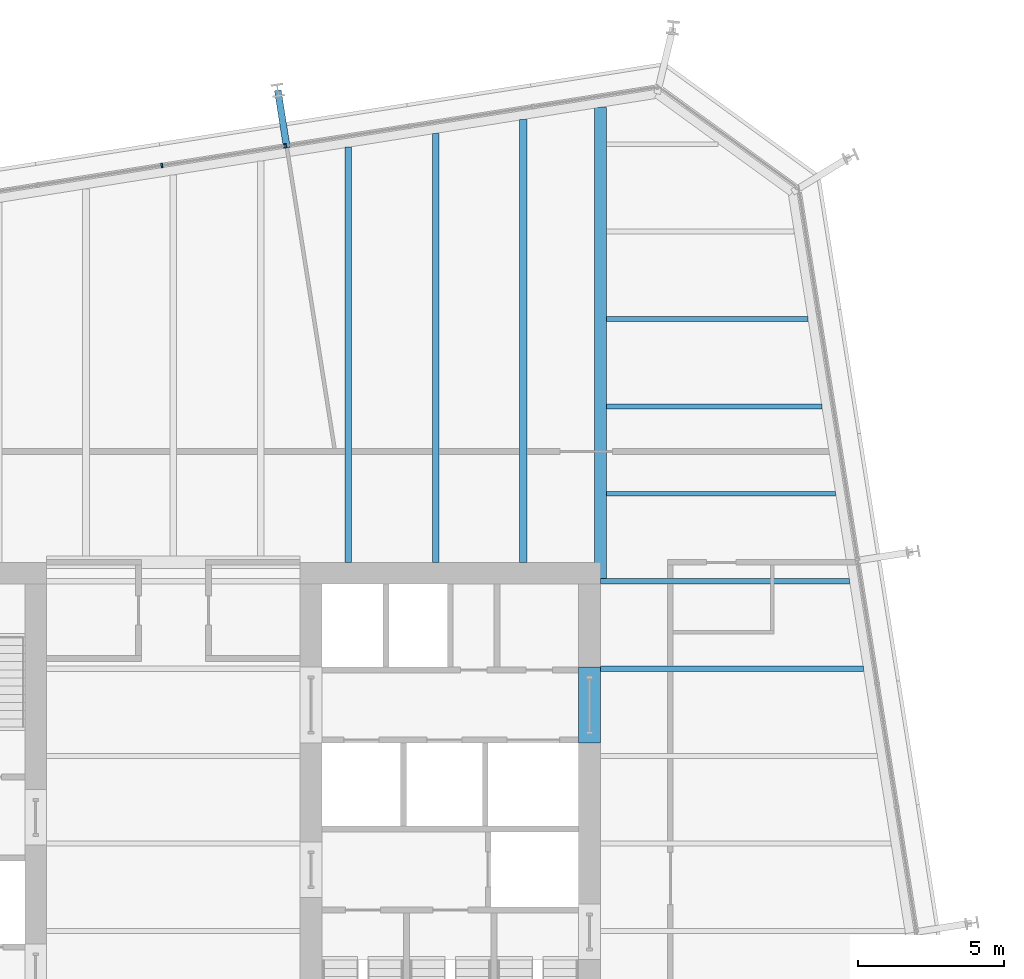
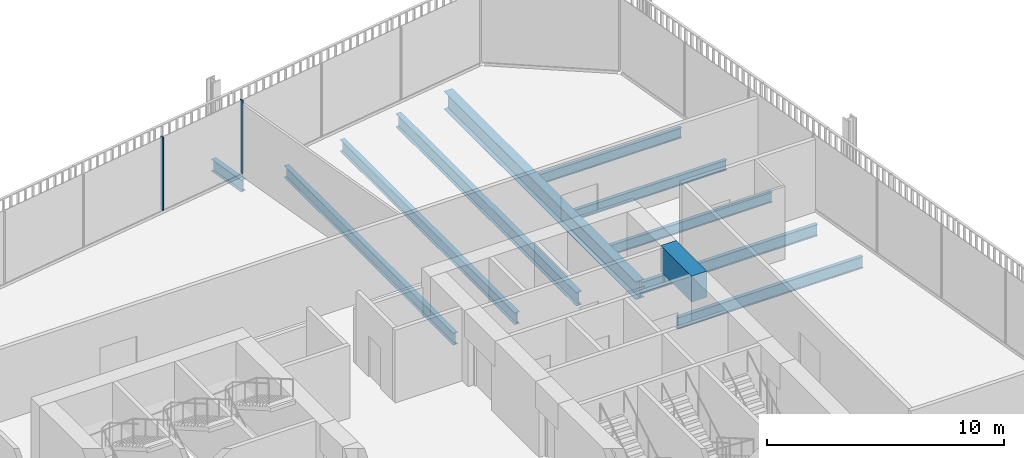
# One storey, part 13 of 21: 11 beams, 2 members, 1 element without a shape of its own.
"""IFC4 building model written with IfcOpenShell, lengths in metres."""

from ifc_helpers import new_model, si_unit, direction, frame, origin, origin_2d, place, context, subcontext, project, spatial, rectangle, i_section, extrude, material, layer, layer_set, material_profile, profile_set, type_object, element, aggregate, save


model = new_model("IFC4")

# Units and contexts
model_context = context("Model", 3, precision=1e-05, world=origin(), true_north=direction((0.0, 1.0)))
body_context = subcontext(model_context, "Body", "Model", "MODEL_VIEW")
ifc_project = project(units=[si_unit("LENGTHUNIT", "METRE"), si_unit("AREAUNIT", "SQUARE_METRE"), si_unit("VOLUMEUNIT", "CUBIC_METRE"), si_unit("PLANEANGLEUNIT", "RADIAN"), si_unit("MASSUNIT", "GRAM", prefix="KILO")], contexts=[model_context])

# Site, building, storey
site_placement = place(None, origin())
site = spatial("IfcSite", under=ifc_project, at=site_placement, CompositionType="ELEMENT")
building_placement = place(site_placement, origin())
building = spatial("IfcBuilding", under=site, at=building_placement, Name="Millrace Tower", CompositionType="ELEMENT")
storey_placement = place(building_placement, frame((0.0, 0.0, 141.199951171875)))
storey = spatial("IfcBuildingStorey", under=building, at=storey_placement, Name="L31", CompositionType="ELEMENT", Elevation=141.199951171875)

# Curtain wall, members
ifc_material_1 = material(Name="Aluminium and glass", Category="aluminium")
ifc_layer = layer(ifc_material_1, 0.14990234375)
ifc_layer_set = layer_set([ifc_layer], Name="Aluminium and glass")
curtain_wall_type = type_object("IfcCurtainWallType", Name="CW-1 office vision curtain wall", PredefinedType="NOTDEFINED", material=ifc_layer_set)
curtain_wall_placement = place(storey_placement, origin())
curtain_wall = element("IfcCurtainWall", 1, at=curtain_wall_placement, inside=storey, type_object=curtain_wall_type, Name="Curtain wall C-F06 L31", PredefinedType="NOTDEFINED")
ifc_material_2 = material(Name="Aluminium", Category="aluminium")
ifc_material_profile_1 = material_profile(ifc_material_2, rectangle(XDim=0.06494140625, YDim=0.14990234375, at=origin_2d()))
ifc_profile_set_1 = profile_set([ifc_material_profile_1], Name="Aluminium")
member_type = type_object("IfcMemberType", Name="CW-1 office vision curtain wall mullion", PredefinedType="MULLION", material=ifc_profile_set_1)
member_1_placement = place(storey_placement, frame((3.8505859375, 23.938720703125, 0.14013671875), z_axis=(0.0, 0.0, 1.0), x_axis=(-0.98768833929, -0.15643447328, 0.0)))
member_1 = element("IfcMember", 2, at=member_1_placement, type_object=member_type, Name="CW1 mullion C-F06.4", PredefinedType="MULLION", context=body_context, shape_type="SweptSolid", body=[
    extrude(rectangle(XDim=0.06494140625, YDim=0.14990234375, at=origin_2d()), origin(), (0.0, 0.0, 1.0), 3.760009765625),
])
member_2_placement = place(storey_placement, frame((-0.396484375, 23.26611328125, 0.14013671875), z_axis=(0.0, 0.0, 1.0), x_axis=(-0.98768833929, -0.15643447328, 0.0)))
member_2 = element("IfcMember", 3, at=member_2_placement, type_object=member_type, Name="CW1 mullion C-F06.5", PredefinedType="MULLION", context=body_context, shape_type="SweptSolid", body=[
    extrude(rectangle(XDim=0.06494140625, YDim=0.14990234375, at=origin_2d()), origin(), (0.0, 0.0, 1.0), 3.760009765625),
])
aggregate(curtain_wall, [member_1, member_2])

# Beams
ifc_material_3 = material(Name="Concrete C70", Category="concrete")
ifc_material_profile_2 = material_profile(ifc_material_3, rectangle(XDim=0.75, YDim=1.340087890625, at=origin_2d()))
ifc_profile_set_2 = profile_set([ifc_material_profile_2], Name="Concrete C70")
beam_type_1 = type_object("IfcBeamType", Name="Coupling beam 750 x 1340 Concrete C70, 2000 opening", PredefinedType="BEAM", material=ifc_profile_set_2)
beam_1_placement = place(storey_placement, frame((14.27490234375, 6.050048828125, 3.070068359375), z_axis=(0.0, -1.0, 0.0), x_axis=(1.0, 0.0, 0.0)))
element("IfcBeam", 4, at=beam_1_placement, inside=storey, type_object=beam_type_1, Name="Coupling beam E L31", PredefinedType="BEAM", context=body_context, shape_type="SweptSolid", body=[
    extrude(rectangle(XDim=0.75, YDim=1.340087890625, at=origin_2d()), origin(), (0.0, 0.0, 1.0), 2.60009765625),
])
ifc_material_4 = material(Name="Steel ASTM A992 Grade 50", Category="steel")
ifc_material_profile_3 = material_profile(ifc_material_4, i_section(OverallWidth=0.1650390625, OverallDepth=0.52587890625, WebThickness=0.0087890625, FlangeThickness=0.011474609375, FilletRadius=0.0126953125, at=origin_2d()))
ifc_profile_set_3 = profile_set([ifc_material_profile_3], Name="Steel ASTM A992 Grade 50")
beam_type_2 = type_object("IfcBeamType", Name="Floor beam W21x44", PredefinedType="JOIST", material=ifc_profile_set_3)
beam_2_placement = place(storey_placement, frame((14.859619140625, 12.0, -0.4228515625), z_axis=(1.0, 0.0, 0.0), x_axis=(0.0, 1.0, 0.0)))
element("IfcBeam", 5, at=beam_2_placement, inside=storey, type_object=beam_type_2, Name="BM-C-L31-S1-S032", PredefinedType="JOIST", context=body_context, shape_type="SweptSolid", body=[
    extrude(i_section(OverallWidth=0.1650390625, OverallDepth=0.52587890625, WebThickness=0.0087890625, FlangeThickness=0.011474609375, FilletRadius=0.0126953125, at=origin_2d()), origin(), (0.0, 0.0, 1.0), 7.8662109375),
])
beam_3_placement = place(storey_placement, frame((14.859619140625, 15.0, -0.4228515625), z_axis=(1.0, 0.0, 0.0), x_axis=(0.0, 1.0, 0.0)))
element("IfcBeam", 6, at=beam_3_placement, inside=storey, type_object=beam_type_2, Name="BM-C-L31-S1-S034", PredefinedType="JOIST", context=body_context, shape_type="SweptSolid", body=[
    extrude(i_section(OverallWidth=0.1650390625, OverallDepth=0.52587890625, WebThickness=0.0087890625, FlangeThickness=0.011474609375, FilletRadius=0.0126953125, at=origin_2d()), origin(), (0.0, 0.0, 1.0), 7.390869140625),
])
beam_4_placement = place(storey_placement, frame((14.859619140625, 18.0, -0.4228515625), z_axis=(1.0, 0.0, 0.0), x_axis=(0.0, 1.0, 0.0)))
element("IfcBeam", 7, at=beam_4_placement, inside=storey, type_object=beam_type_2, Name="BM-C-L31-S1-S036", PredefinedType="JOIST", context=body_context, shape_type="SweptSolid", body=[
    extrude(i_section(OverallWidth=0.1650390625, OverallDepth=0.52587890625, WebThickness=0.0087890625, FlangeThickness=0.011474609375, FilletRadius=0.0126953125, at=origin_2d()), origin(), (0.0, 0.0, 1.0), 6.915771484375),
])
ifc_material_5 = material(Name="Steel ASTM A992 Grade 50", Category="steel")
ifc_material_profile_4 = material_profile(ifc_material_5, i_section(OverallWidth=0.177978515625, OverallDepth=0.599365234375, WebThickness=0.010009765625, FlangeThickness=0.012939453125, FilletRadius=0.012939453125, at=origin_2d()))
ifc_profile_set_4 = profile_set([ifc_material_profile_4], Name="Steel ASTM A992 Grade 50")
beam_type_3 = type_object("IfcBeamType", Name="Floor beam W24x55", PredefinedType="JOIST", material=ifc_profile_set_4)
beam_5_placement = place(storey_placement, frame((14.64990234375, 6.0, -0.459716796875), z_axis=(1.0, 0.0, 0.0), x_axis=(0.0, 1.0, 0.0)))
element("IfcBeam", 8, at=beam_5_placement, inside=storey, type_object=beam_type_3, Name="BM-C-L31-S1-S027", PredefinedType="JOIST", context=body_context, shape_type="SweptSolid", body=[
    extrude(i_section(OverallWidth=0.177978515625, OverallDepth=0.599365234375, WebThickness=0.010009765625, FlangeThickness=0.012939453125, FilletRadius=0.012939453125, at=origin_2d()), origin(), (0.0, 0.0, 1.0), 9.026123046875),
])
beam_6_placement = place(storey_placement, frame((14.64990234375, 9.0, -0.459716796875), z_axis=(1.0, 0.0, 0.0), x_axis=(0.0, 1.0, 0.0)))
element("IfcBeam", 9, at=beam_6_placement, inside=storey, type_object=beam_type_3, Name="BM-C-L31-S1-S030", PredefinedType="JOIST", context=body_context, shape_type="SweptSolid", body=[
    extrude(i_section(OverallWidth=0.177978515625, OverallDepth=0.599365234375, WebThickness=0.010009765625, FlangeThickness=0.012939453125, FilletRadius=0.012939453125, at=origin_2d()), origin(), (0.0, 0.0, 1.0), 8.551025390625),
])
ifc_material_6 = material(Name="Steel ASTM A992 Grade 50", Category="steel")
ifc_material_profile_5 = material_profile(ifc_material_6, i_section(OverallWidth=0.228271484375, OverallDepth=0.607177734375, WebThickness=0.01123046875, FlangeThickness=0.017333984375, FilletRadius=0.0126953125, at=origin_2d()))
ifc_profile_set_5 = profile_set([ifc_material_profile_5], Name="Steel ASTM A992 Grade 50")
beam_type_4 = type_object("IfcBeamType", Name="Floor beam W24x76", PredefinedType="JOIST", material=ifc_profile_set_5)
beam_7_placement = place(storey_placement, frame((6.0, 9.64990234375, -0.46337890625), z_axis=(0.0, 1.0, 0.0), x_axis=(-1.0, 0.0, 0.0)))
element("IfcBeam", 10, at=beam_7_placement, inside=storey, type_object=beam_type_4, Name="BM-C-L31-S1-S051", PredefinedType="JOIST", context=body_context, shape_type="SweptSolid", body=[
    extrude(i_section(OverallWidth=0.228271484375, OverallDepth=0.607177734375, WebThickness=0.01123046875, FlangeThickness=0.017333984375, FilletRadius=0.0126953125, at=origin_2d()), origin(), (0.0, 0.0, 1.0), 14.2421875),
])
beam_8_placement = place(storey_placement, frame((9.0, 9.64990234375, -0.46337890625), z_axis=(0.0, 1.0, 0.0), x_axis=(-1.0, 0.0, 0.0)))
element("IfcBeam", 11, at=beam_8_placement, inside=storey, type_object=beam_type_4, Name="BM-C-L31-S1-S053", PredefinedType="JOIST", context=body_context, shape_type="SweptSolid", body=[
    extrude(i_section(OverallWidth=0.228271484375, OverallDepth=0.607177734375, WebThickness=0.01123046875, FlangeThickness=0.017333984375, FilletRadius=0.0126953125, at=origin_2d()), origin(), (0.0, 0.0, 1.0), 14.71728515625),
])
ifc_material_7 = material(Name="Steel ASTM A992 Grade 50", Category="steel")
ifc_material_profile_6 = material_profile(ifc_material_7, i_section(OverallWidth=0.256591796875, OverallDepth=0.693359375, WebThickness=0.014404296875, FlangeThickness=0.023681640625, FilletRadius=0.01513671875, at=origin_2d()))
ifc_profile_set_6 = profile_set([ifc_material_profile_6], Name="Steel ASTM A992 Grade 50")
beam_type_5 = type_object("IfcBeamType", Name="Floor beam W27x114", PredefinedType="JOIST", material=ifc_profile_set_6)
beam_9_placement = place(storey_placement, frame((12.0, 9.64990234375, -0.506591796875), z_axis=(0.0, 1.0, 0.0), x_axis=(-1.0, 0.0, 0.0)))
element("IfcBeam", 12, at=beam_9_placement, inside=storey, type_object=beam_type_5, Name="BM-C-L31-S1-S055", PredefinedType="JOIST", context=body_context, shape_type="SweptSolid", body=[
    extrude(i_section(OverallWidth=0.256591796875, OverallDepth=0.693359375, WebThickness=0.014404296875, FlangeThickness=0.023681640625, FilletRadius=0.01513671875, at=origin_2d()), origin(), (0.0, 0.0, 1.0), 15.1923828125),
])
ifc_material_8 = material(Name="Steel ASTM A992 Grade 50", Category="steel")
ifc_material_profile_7 = material_profile(ifc_material_8, i_section(OverallWidth=0.419189453125, OverallDepth=0.927001953125, WebThickness=0.019287109375, FlangeThickness=0.031982421875, FilletRadius=0.024169921875, at=origin_2d()))
ifc_profile_set_7 = profile_set([ifc_material_profile_7], Name="Steel ASTM A992 Grade 50")
beam_type_6 = type_object("IfcBeamType", Name="Girder medium span W36x231", PredefinedType="BEAM", material=ifc_profile_set_7)
beam_10_placement = place(storey_placement, frame((14.64990234375, 9.090087890625, -0.62353515625), z_axis=(0.0, 1.0, 0.0), x_axis=(-1.0, 0.0, 0.0)))
element("IfcBeam", 13, at=beam_10_placement, inside=storey, type_object=beam_type_6, Name="BM-C-L31-S1-G059", PredefinedType="BEAM", context=body_context, shape_type="SweptSolid", body=[
    extrude(i_section(OverallWidth=0.419189453125, OverallDepth=0.927001953125, WebThickness=0.019287109375, FlangeThickness=0.031982421875, FilletRadius=0.024169921875, at=origin_2d()), origin(), (0.0, 0.0, 1.0), 16.1640625),
])
ifc_material_9 = material(Name="Steel ASTM A992 Grade 50", Category="steel")
ifc_material_profile_8 = material_profile(ifc_material_9, i_section(OverallWidth=0.23046875, OverallDepth=0.6171875, WebThickness=0.01318359375, FlangeThickness=0.022216796875, FilletRadius=0.012939453125, at=origin_2d()))
ifc_profile_set_8 = profile_set([ifc_material_profile_8], Name="Steel ASTM A992 Grade 50")
beam_type_7 = type_object("IfcBeamType", Name="Link beam W24x94", PredefinedType="BEAM", material=ifc_profile_set_8)
beam_11_placement = place(storey_placement, frame((3.894287109375, 23.86962890625, -0.468505859375), z_axis=(-0.15637629034, 0.987697552806, 0.0), x_axis=(-0.987697552806, -0.15637629034, 0.0)))
element("IfcBeam", 14, at=beam_11_placement, inside=storey, type_object=beam_type_7, Name="LNK-C-L31-S1-07", PredefinedType="BEAM", context=body_context, shape_type="SweptSolid", body=[
    extrude(i_section(OverallWidth=0.23046875, OverallDepth=0.6171875, WebThickness=0.01318359375, FlangeThickness=0.022216796875, FilletRadius=0.012939453125, at=origin_2d()), origin(), (0.0, 0.0, 1.0), 2.0),
])

save(model, "model.ifc")
